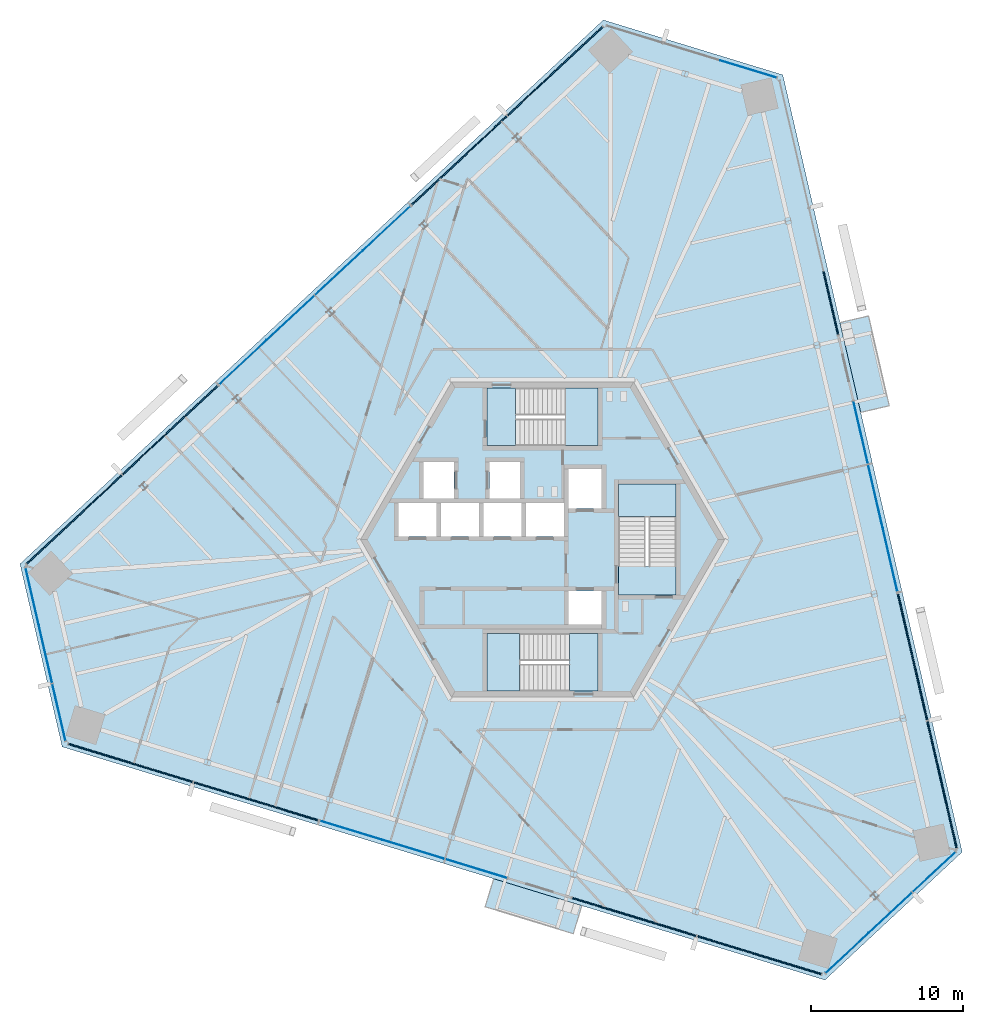
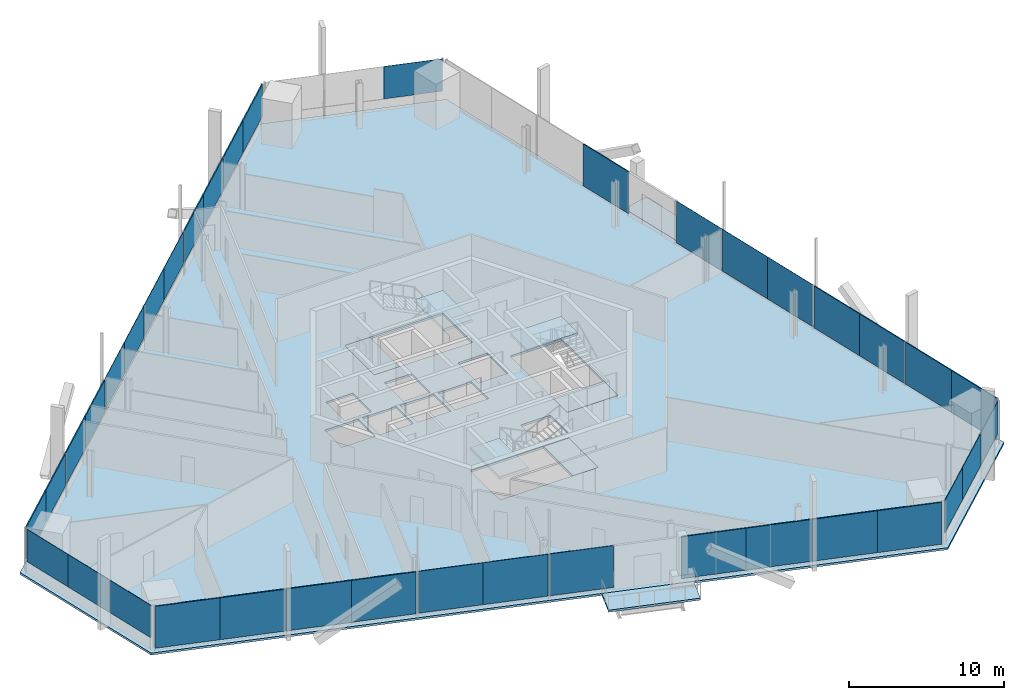
# One storey, part 11 of 23: 38 plates, 9 slabs, 15 elements without a shape of their own.
"""IFC4 building model written with IfcOpenShell, lengths in metres."""

from ifc_helpers import new_model, si_unit, direction, frame, origin, origin_2d, place, context, subcontext, project, spatial, polyline, rectangle, outline, extrude, source, transform, mapped, material, layer, layer_set, type_object, element, aggregate, save


model = new_model("IFC4")

# Units and contexts
model_context = context("Model", 3, precision=1e-05, world=origin(), true_north=direction((0.0, 1.0)))
body_context = subcontext(model_context, "Body", "Model", "MODEL_VIEW")
ifc_project = project(units=[si_unit("LENGTHUNIT", "METRE"), si_unit("AREAUNIT", "SQUARE_METRE"), si_unit("VOLUMEUNIT", "CUBIC_METRE"), si_unit("PLANEANGLEUNIT", "RADIAN"), si_unit("MASSUNIT", "GRAM", prefix="KILO")], contexts=[model_context])

# Site, building, storey
site_placement = place(None, origin())
site = spatial("IfcSite", under=ifc_project, at=site_placement, CompositionType="ELEMENT")
building_placement = place(site_placement, origin())
building = spatial("IfcBuilding", under=site, at=building_placement, Name="Triune Harvest Tower", CompositionType="ELEMENT")
storey_placement = place(building_placement, frame((0.0, 0.0, 105.5)))
storey = spatial("IfcBuildingStorey", under=building, at=storey_placement, Name="L26", CompositionType="ELEMENT", Elevation=105.5)

# Slabs
ifc_material_1 = material(Name="Concrete 40 MPa", Category="concrete")
ifc_layer_1 = layer(ifc_material_1, 0.159912109375)
ifc_layer_set_1 = layer_set([ifc_layer_1], Name="Concrete 40 MPa")
slab_type_1 = type_object("IfcSlabType", Name="BA-1 balcony slab 160", PredefinedType="FLOOR", material=ifc_layer_set_1)
slab_1_placement = place(storey_placement, frame((0.0, 0.0, -0.159912109375)))
element("IfcSlab", 1, at=slab_1_placement, inside=storey, type_object=slab_type_1, Name="Balcony slab B3-F1 L26.8", PredefinedType="FLOOR", context=body_context, shape_type="SweptSolid", body=[
    extrude(outline(polyline([(20.974365234375, 8.390380859375), (19.6083984375, 14.3076171875), (21.489990234375, 14.7421875), (22.856201171875, 8.824951171875), (20.974365234375, 8.390380859375)])), origin(), (0.0, 0.0, 1.0), 0.159912109375),
])
slab_2_placement = place(storey_placement, frame((0.0, 0.0, -0.159912109375)))
element("IfcSlab", 2, at=slab_2_placement, inside=storey, type_object=slab_type_1, Name="Balcony slab B3-F5 L26.8", PredefinedType="FLOOR", context=body_context, shape_type="SweptSolid", body=[
    extrude(outline(polyline([(-3.220947265625, -22.359619140625), (2.586669921875, -24.135009765625), (2.02197265625, -25.98193359375), (-3.785400390625, -24.206298828125), (-3.220947265625, -22.359619140625)])), origin(), (0.0, 0.0, 1.0), 0.159912109375),
])
ifc_material_2 = material(Name="Concrete 40 MPa", Category="concrete")
ifc_layer_2 = layer(ifc_material_2, 0.159912109375)
ifc_layer_set_2 = layer_set([ifc_layer_2], Name="Concrete 40 MPa")
slab_type_2 = type_object("IfcSlabType", Name="SL-1 Composite floor slab 160", PredefinedType="FLOOR", material=ifc_layer_set_2)
shared_shape_1 = source(origin(), body_context, "Body", "SweptSolid", [
    extrude(outline(polyline([(27.666748046875, -20.59765625), (15.83740234375, 30.641357421875), (4.004638671875, 34.2587890625), (-34.454833984375, -1.60498046875), (-31.67138671875, -13.661376953125), (18.617431640625, -29.0361328125), (27.666748046875, -20.59765625)]), holes=[polyline([(-7.0, 0.2099609375), (-7.0, 2.409912109375), (-9.5, 2.409912109375), (-9.5, 0.2099609375), (-7.0, 0.2099609375)]), polyline([(-4.199951171875, 0.2099609375), (-4.199951171875, 2.409912109375), (-6.699951171875, 2.409912109375), (-6.699951171875, 0.2099609375), (-4.199951171875, 0.2099609375)]), polyline([(-1.39990234375, 0.2099609375), (-1.39990234375, 2.409912109375), (-3.89990234375, 2.409912109375), (-3.89990234375, 0.2099609375), (-1.39990234375, 0.2099609375)]), polyline([(1.39990234375, 0.2099609375), (1.39990234375, 2.409912109375), (-1.10009765625, 2.409912109375), (-1.10009765625, 0.2099609375), (1.39990234375, 0.2099609375)]), polyline([(3.89990234375, 2.06005859375), (3.89990234375, 4.659912109375), (1.699951171875, 4.659912109375), (1.699951171875, 2.06005859375), (3.89990234375, 2.06005859375)]), polyline([(3.89990234375, -5.590087890625), (3.89990234375, -3.389892578125), (1.699951171875, -3.389892578125), (1.699951171875, -5.590087890625), (3.89990234375, -5.590087890625)]), polyline([(-5.85009765625, 2.7099609375), (-5.85009765625, 5.110107421875), (-7.85009765625, 5.110107421875), (-7.85009765625, 2.7099609375), (-5.85009765625, 2.7099609375)]), polyline([(-1.5, 2.7099609375), (-1.5, 5.110107421875), (-3.5, 5.110107421875), (-3.5, 2.7099609375), (-1.5, 2.7099609375)]), polyline([(3.64990234375, 6.18994140625), (3.64990234375, 9.989990234375), (-3.64990234375, 9.989990234375), (-3.64990234375, 6.18994140625), (3.64990234375, 6.18994140625)]), polyline([(3.64990234375, -9.989990234375), (3.64990234375, -6.18994140625), (-3.64990234375, -6.18994140625), (-3.64990234375, -9.989990234375), (3.64990234375, -9.989990234375)]), polyline([(8.800048828125, -3.64990234375), (8.800048828125, 3.64990234375), (5.0, 3.64990234375), (5.0, -3.64990234375), (8.800048828125, -3.64990234375)])]), origin(), (0.0, 0.0, 1.0), 0.159912109375),
])
slab_3_placement = place(storey_placement, frame((0.0, 0.0, -0.159912109375)))
element("IfcSlab", 3, at=slab_3_placement, inside=storey, type_object=slab_type_2, Name="slab/L26/1", PredefinedType="FLOOR", context=body_context, shape_type="MappedRepresentation", body=[
    mapped(shared_shape_1, transform((0.0, 0.0, 0.0), scale=1.0)),
])

# Stair, slabs
ifc_material_3 = material(Name="Concrete 40 MPa", Category="concrete")
stair_type = type_object("IfcStairType", Name="Exit stair 1800 half turn", PredefinedType="HALF_TURN_STAIR", material=ifc_material_3)
stair_1_placement = place(storey_placement, origin())
stair_1 = element("IfcStair", 4, at=stair_1_placement, inside=storey, type_object=stair_type, Name="Exit stair north", PredefinedType="HALF_TURN_STAIR")
ifc_material_4 = material(Name="Concrete 40 MPa", Category="concrete")
ifc_layer_3 = layer(ifc_material_4, 0.199951171875)
ifc_layer_set_3 = layer_set([ifc_layer_3], Name="Concrete 40 MPa")
slab_type_3 = type_object("IfcSlabType", Name="Stair landing 200", PredefinedType="LANDING", material=ifc_layer_set_3)
shared_shape_2 = source(origin(), body_context, "Body", "SweptSolid", [
    extrude(outline(polyline([(1.510009765625, 6.18994140625), (3.64990234375, 6.18994140625), (3.64990234375, 9.989990234375), (1.510009765625, 9.989990234375), (1.510009765625, 6.18994140625)])), origin(), (0.0, 0.0, 1.0), 0.199951171875),
])
slab_4_placement = place(storey_placement, frame((0.0, 0.0, 1.60009765625)))
slab_4 = element("IfcSlab", 5, at=slab_4_placement, type_object=slab_type_3, Name="ST-1 landing 2", PredefinedType="LANDING", context=body_context, shape_type="MappedRepresentation", body=[
    mapped(shared_shape_2, transform((0.0, 0.0, 0.0), scale=1.0)),
])
shared_shape_3 = source(origin(), body_context, "Body", "SweptSolid", [
    extrude(outline(polyline([(-3.64990234375, 6.18994140625), (-1.780029296875, 6.18994140625), (-1.780029296875, 9.989990234375), (-3.64990234375, 9.989990234375), (-3.64990234375, 6.18994140625)])), origin(), (0.0, 0.0, 1.0), 0.199951171875),
])
slab_5_placement = place(storey_placement, frame((0.0, 0.0, -0.199951171875)))
slab_5 = element("IfcSlab", 6, at=slab_5_placement, type_object=slab_type_3, Name="ST-1 landing 1", PredefinedType="LANDING", context=body_context, shape_type="MappedRepresentation", body=[
    mapped(shared_shape_3, transform((0.0, 0.0, 0.0), scale=1.0)),
])
aggregate(stair_1, [slab_5, slab_4])

stair_2_placement = place(storey_placement, origin())
stair_2 = element("IfcStair", 7, at=stair_2_placement, inside=storey, type_object=stair_type, Name="Exit stair south", PredefinedType="HALF_TURN_STAIR")
shared_shape_4 = source(origin(), body_context, "Body", "SweptSolid", [
    extrude(outline(polyline([(-1.510009765625, -6.18994140625), (-3.64990234375, -6.18994140625), (-3.64990234375, -9.989990234375), (-1.510009765625, -9.989990234375), (-1.510009765625, -6.18994140625)])), origin(), (0.0, 0.0, 1.0), 0.199951171875),
])
slab_6_placement = place(storey_placement, frame((0.0, 0.0, 1.60009765625)))
slab_6 = element("IfcSlab", 8, at=slab_6_placement, type_object=slab_type_3, Name="ST-2 landing 2", PredefinedType="LANDING", context=body_context, shape_type="MappedRepresentation", body=[
    mapped(shared_shape_4, transform((0.0, 0.0, 0.0), scale=1.0)),
])
shared_shape_5 = source(origin(), body_context, "Body", "SweptSolid", [
    extrude(outline(polyline([(3.64990234375, -6.18994140625), (1.780029296875, -6.18994140625), (1.780029296875, -9.989990234375), (3.64990234375, -9.989990234375), (3.64990234375, -6.18994140625)])), origin(), (0.0, 0.0, 1.0), 0.199951171875),
])
slab_7_placement = place(storey_placement, frame((0.0, 0.0, -0.199951171875)))
slab_7 = element("IfcSlab", 9, at=slab_7_placement, type_object=slab_type_3, Name="ST-2 landing 1", PredefinedType="LANDING", context=body_context, shape_type="MappedRepresentation", body=[
    mapped(shared_shape_5, transform((0.0, 0.0, 0.0), scale=1.0)),
])
aggregate(stair_2, [slab_7, slab_6])

stair_3_placement = place(storey_placement, origin())
stair_3 = element("IfcStair", 10, at=stair_3_placement, inside=storey, type_object=stair_type, Name="Exit stair east", PredefinedType="HALF_TURN_STAIR")
shared_shape_6 = source(origin(), body_context, "Body", "SweptSolid", [
    extrude(outline(polyline([(8.800048828125, 1.510009765625), (8.800048828125, 3.64990234375), (5.0, 3.64990234375), (5.0, 1.510009765625), (8.800048828125, 1.510009765625)])), origin(), (0.0, 0.0, 1.0), 0.199951171875),
])
slab_8_placement = place(storey_placement, frame((0.0, 0.0, 1.60009765625)))
slab_8 = element("IfcSlab", 11, at=slab_8_placement, type_object=slab_type_3, Name="ST-3 landing 2", PredefinedType="LANDING", context=body_context, shape_type="MappedRepresentation", body=[
    mapped(shared_shape_6, transform((0.0, 0.0, 0.0), scale=1.0)),
])
shared_shape_7 = source(origin(), body_context, "Body", "SweptSolid", [
    extrude(outline(polyline([(8.800048828125, -3.64990234375), (8.800048828125, -1.780029296875), (5.0, -1.780029296875), (5.0, -3.64990234375), (8.800048828125, -3.64990234375)])), origin(), (0.0, 0.0, 1.0), 0.199951171875),
])
slab_9_placement = place(storey_placement, frame((0.0, 0.0, -0.199951171875)))
slab_9 = element("IfcSlab", 12, at=slab_9_placement, type_object=slab_type_3, Name="ST-3 landing 1", PredefinedType="LANDING", context=body_context, shape_type="MappedRepresentation", body=[
    mapped(shared_shape_7, transform((0.0, 0.0, 0.0), scale=1.0)),
])
aggregate(stair_3, [slab_9, slab_8])

# Curtain wall, plate
ifc_material_5 = material(Name="Aluminium bronze anodised", Category="aluminium")
curtain_wall_type_1 = type_object("IfcCurtainWallType", Name="CW-1 Tower stick curtain wall", PredefinedType="NOTDEFINED", material=ifc_material_5)
curtain_wall_1_placement = place(storey_placement, origin())
curtain_wall_1 = element("IfcCurtainWall", 13, at=curtain_wall_1_placement, inside=storey, type_object=curtain_wall_type_1, Name="CW-1 B3-F2 L26 run 1")
ifc_material_6 = material(Name="Glass", Category="glass")
ifc_layer_4 = layer(ifc_material_6, 0.031982421875)
ifc_layer_set_4 = layer_set([ifc_layer_4], Name="Glass")
plate_type_1 = type_object("IfcPlateType", Name="GL-1 panel 32", PredefinedType="CURTAIN_PANEL", material=ifc_layer_set_4)
shared_shape_8 = source(origin(), body_context, "Body", "SweptSolid", [
    extrude(rectangle(XDim=3.8740234375, YDim=0.031982421875, at=origin_2d()), origin(), (0.0, 0.0, 1.0), 2.5400390625),
])
plate_1_placement = place(storey_placement, frame((13.573974609375, 31.01953125, 0.89990234375), z_axis=(0.0, 0.0, 1.0), x_axis=(-0.956303148607, 0.292376962095, 0.0)))
plate_1 = element("IfcPlate", 14, at=plate_1_placement, type_object=plate_type_1, Name="CW-1 panel B3-F2 1.1", PredefinedType="CURTAIN_PANEL", context=body_context, shape_type="MappedRepresentation", body=[
    mapped(shared_shape_8, transform((0.0, 0.0, 0.0), scale=1.0)),
])
aggregate(curtain_wall_1, [plate_1])

curtain_wall_2_placement = place(storey_placement, origin())
curtain_wall_2 = element("IfcCurtainWall", 15, at=curtain_wall_2_placement, inside=storey, type_object=curtain_wall_type_1, Name="CW-1 B3-F4 L26 run 1")
plate_2_placement = place(storey_placement, frame((-33.650634765625, -3.75439453125, 0.89990234375), z_axis=(0.0, 0.0, 1.0), x_axis=(0.224946950683, -0.974371012181, 0.0)))
plate_2 = element("IfcPlate", 16, at=plate_2_placement, type_object=plate_type_1, Name="CW-1 panel B3-F4 1.1", PredefinedType="CURTAIN_PANEL", context=body_context, shape_type="MappedRepresentation", body=[
    mapped(shared_shape_8, transform((0.0, 0.0, 0.0), scale=1.0)),
])

curtain_wall_3_placement = place(storey_placement, origin())
curtain_wall_3 = element("IfcCurtainWall", 17, at=curtain_wall_3_placement, inside=storey, type_object=curtain_wall_type_1, Name="CW-1 B3-F6 L26 run 1")
plate_3_placement = place(storey_placement, frame((20.076904296875, -27.26513671875, 0.89990234375), z_axis=(0.0, 0.0, 1.0), x_axis=(0.731349946151, 0.682002387287, 0.0)))
plate_3 = element("IfcPlate", 18, at=plate_3_placement, type_object=plate_type_1, Name="CW-1 panel B3-F6 1.1", PredefinedType="CURTAIN_PANEL", context=body_context, shape_type="MappedRepresentation", body=[
    mapped(shared_shape_8, transform((0.0, 0.0, 0.0), scale=1.0)),
])

# Plate
shared_shape_9 = source(origin(), body_context, "Body", "SweptSolid", [
    extrude(rectangle(XDim=3.911376953125, YDim=0.031982421875, at=origin_2d()), origin(), (0.0, 0.0, 1.0), 2.5400390625),
])
plate_4_placement = place(storey_placement, frame((-32.77490234375, -7.54736328125, 0.89990234375), z_axis=(0.0, 0.0, 1.0), x_axis=(0.224946950683, -0.974371012181, 0.0)))
plate_4 = element("IfcPlate", 19, at=plate_4_placement, type_object=plate_type_1, Name="CW-1 panel B3-F4 1.2", PredefinedType="CURTAIN_PANEL", context=body_context, shape_type="MappedRepresentation", body=[
    mapped(shared_shape_9, transform((0.0, 0.0, 0.0), scale=1.0)),
])

plate_5_placement = place(storey_placement, frame((22.923828125, -24.6103515625, 0.89990234375), z_axis=(0.0, 0.0, 1.0), x_axis=(0.731349946151, 0.682002387287, 0.0)))
plate_5 = element("IfcPlate", 20, at=plate_5_placement, type_object=plate_type_1, Name="CW-1 panel B3-F6 1.2", PredefinedType="CURTAIN_PANEL", context=body_context, shape_type="MappedRepresentation", body=[
    mapped(shared_shape_9, transform((0.0, 0.0, 0.0), scale=1.0)),
])

shared_shape_10 = source(origin(), body_context, "Body", "SweptSolid", [
    extrude(rectangle(XDim=3.83642578125, YDim=0.031982421875, at=origin_2d()), origin(), (0.0, 0.0, 1.0), 2.5400390625),
])
plate_6_placement = place(storey_placement, frame((-31.88671875, -11.395263671875, 0.89990234375), z_axis=(0.0, 0.0, 1.0), x_axis=(0.224946950683, -0.974371012181, 0.0)))
plate_6 = element("IfcPlate", 21, at=plate_6_placement, type_object=plate_type_1, Name="CW-1 panel B3-F4 1.3", PredefinedType="CURTAIN_PANEL", context=body_context, shape_type="MappedRepresentation", body=[
    mapped(shared_shape_10, transform((0.0, 0.0, 0.0), scale=1.0)),
])

aggregate(curtain_wall_2, [plate_2, plate_4, plate_6])

plate_7_placement = place(storey_placement, frame((25.81201171875, -21.9169921875, 0.89990234375), z_axis=(0.0, 0.0, 1.0), x_axis=(0.731349946151, 0.682002387287, 0.0)))
plate_7 = element("IfcPlate", 22, at=plate_7_placement, type_object=plate_type_1, Name="CW-1 panel B3-F6 1.3", PredefinedType="CURTAIN_PANEL", context=body_context, shape_type="MappedRepresentation", body=[
    mapped(shared_shape_10, transform((0.0, 0.0, 0.0), scale=1.0)),
])

aggregate(curtain_wall_3, [plate_3, plate_5, plate_7])

# Curtain wall, plates
ifc_material_7 = material(Name="Aluminium bronze anodised", Category="aluminium")
curtain_wall_type_2 = type_object("IfcCurtainWallType", Name="CW-7 Tower stick curtain wall with insulated spandrel infill", PredefinedType="NOTDEFINED", material=ifc_material_7)
curtain_wall_4_placement = place(storey_placement, origin())
curtain_wall_4 = element("IfcCurtainWall", 23, at=curtain_wall_4_placement, inside=storey, type_object=curtain_wall_type_2, Name="CW-7 B3-F3 L26 run 1")
ifc_material_8 = material(Name="Insulated spandrel panel, bronze aluminium pan", Category="aluminium")
ifc_layer_5 = layer(ifc_material_8, 0.080078125)
ifc_layer_set_5 = layer_set([ifc_layer_5], Name="Insulated spandrel panel, bronze aluminium pan")
plate_type_2 = type_object("IfcPlateType", Name="SP-1 insulated spandrel panel 80", PredefinedType="CURTAIN_PANEL", material=ifc_layer_set_5)
shared_shape_11 = source(origin(), body_context, "Body", "SweptSolid", [
    extrude(rectangle(XDim=4.263427734375, YDim=0.080078125, at=origin_2d()), origin(), (0.0, 0.0, 1.0), 2.5400390625),
])
plate_8_placement = place(storey_placement, frame((2.40283203125, 32.35498046875, 0.89990234375), z_axis=(0.0, 0.0, 1.0), x_axis=(-0.731352976421, -0.681999137741, 0.0)))
plate_8 = element("IfcPlate", 24, at=plate_8_placement, type_object=plate_type_2, Name="CW-7 panel B3-F3 1.1", PredefinedType="CURTAIN_PANEL", context=body_context, shape_type="MappedRepresentation", body=[
    mapped(shared_shape_11, transform((0.0, 0.0, 0.0), scale=1.0)),
])
plate_9_placement = place(storey_placement, frame((-7.060791015625, 23.530029296875, 0.89990234375), z_axis=(0.0, 0.0, 1.0), x_axis=(-0.731352976421, -0.681999137741, 0.0)))
plate_9 = element("IfcPlate", 25, at=plate_9_placement, type_object=plate_type_2, Name="CW-7 panel B3-F3 1.4", PredefinedType="CURTAIN_PANEL", context=body_context, shape_type="MappedRepresentation", body=[
    mapped(shared_shape_11, transform((0.0, 0.0, 0.0), scale=1.0)),
])

curtain_wall_5_placement = place(storey_placement, origin())
curtain_wall_5 = element("IfcCurtainWall", 26, at=curtain_wall_5_placement, inside=storey, type_object=curtain_wall_type_2, Name="CW-7 B3-F3 L26 run 2001")
plate_10_placement = place(storey_placement, frame((-22.97998046875, 8.68505859375, 0.89990234375), z_axis=(0.0, 0.0, 1.0), x_axis=(-0.731352976421, -0.681999137741, 0.0)))
plate_10 = element("IfcPlate", 27, at=plate_10_placement, type_object=plate_type_2, Name="CW-7 panel B3-F3 2001.1", PredefinedType="CURTAIN_PANEL", context=body_context, shape_type="MappedRepresentation", body=[
    mapped(shared_shape_11, transform((0.0, 0.0, 0.0), scale=1.0)),
])
plate_11_placement = place(storey_placement, frame((-32.44384765625, -0.14013671875, 0.89990234375), z_axis=(0.0, 0.0, 1.0), x_axis=(-0.731352976421, -0.681999137741, 0.0)))
plate_11 = element("IfcPlate", 28, at=plate_11_placement, type_object=plate_type_2, Name="CW-7 panel B3-F3 2001.4", PredefinedType="CURTAIN_PANEL", context=body_context, shape_type="MappedRepresentation", body=[
    mapped(shared_shape_11, transform((0.0, 0.0, 0.0), scale=1.0)),
])

# Plate
shared_shape_12 = source(origin(), body_context, "Body", "SweptSolid", [
    extrude(rectangle(XDim=4.30078125, YDim=0.080078125, at=origin_2d()), origin(), (0.0, 0.0, 1.0), 2.5400390625),
])
plate_12_placement = place(storey_placement, frame((-0.728759765625, 29.4345703125, 0.89990234375), z_axis=(0.0, 0.0, 1.0), x_axis=(-0.731352976421, -0.681999137741, 0.0)))
plate_12 = element("IfcPlate", 29, at=plate_12_placement, type_object=plate_type_2, Name="CW-7 panel B3-F3 1.2", PredefinedType="CURTAIN_PANEL", context=body_context, shape_type="MappedRepresentation", body=[
    mapped(shared_shape_12, transform((0.0, 0.0, 0.0), scale=1.0)),
])

plate_13_placement = place(storey_placement, frame((-3.92919921875, 26.450439453125, 0.89990234375), z_axis=(0.0, 0.0, 1.0), x_axis=(-0.731352976421, -0.681999137741, 0.0)))
plate_13 = element("IfcPlate", 30, at=plate_13_placement, type_object=plate_type_2, Name="CW-7 panel B3-F3 1.3", PredefinedType="CURTAIN_PANEL", context=body_context, shape_type="MappedRepresentation", body=[
    mapped(shared_shape_12, transform((0.0, 0.0, 0.0), scale=1.0)),
])

aggregate(curtain_wall_4, [plate_8, plate_12, plate_13, plate_9])

plate_14_placement = place(storey_placement, frame((-26.11181640625, 5.7646484375, 0.89990234375), z_axis=(0.0, 0.0, 1.0), x_axis=(-0.731352976421, -0.681999137741, 0.0)))
plate_14 = element("IfcPlate", 31, at=plate_14_placement, type_object=plate_type_2, Name="CW-7 panel B3-F3 2001.2", PredefinedType="CURTAIN_PANEL", context=body_context, shape_type="MappedRepresentation", body=[
    mapped(shared_shape_12, transform((0.0, 0.0, 0.0), scale=1.0)),
])

plate_15_placement = place(storey_placement, frame((-29.31201171875, 2.7802734375, 0.89990234375), z_axis=(0.0, 0.0, 1.0), x_axis=(-0.731352976421, -0.681999137741, 0.0)))
plate_15 = element("IfcPlate", 32, at=plate_15_placement, type_object=plate_type_2, Name="CW-7 panel B3-F3 2001.3", PredefinedType="CURTAIN_PANEL", context=body_context, shape_type="MappedRepresentation", body=[
    mapped(shared_shape_12, transform((0.0, 0.0, 0.0), scale=1.0)),
])

aggregate(curtain_wall_5, [plate_10, plate_14, plate_15, plate_11])

# Curtain wall, plates
curtain_wall_6_placement = place(storey_placement, origin())
curtain_wall_6 = element("IfcCurtainWall", 33, at=curtain_wall_6_placement, inside=storey, type_object=curtain_wall_type_1, Name="CW-1 B3-F3 L26 run 1001")
shared_shape_13 = source(origin(), body_context, "Body", "SweptSolid", [
    extrude(rectangle(XDim=4.263427734375, YDim=0.031982421875, at=origin_2d()), origin(), (0.0, 0.0, 1.0), 2.5400390625),
])
plate_16_placement = place(storey_placement, frame((-10.28857421875, 20.52001953125, 0.89990234375), z_axis=(0.0, 0.0, 1.0), x_axis=(-0.731354138963, -0.681997891068, 0.0)))
plate_16 = element("IfcPlate", 34, at=plate_16_placement, type_object=plate_type_1, Name="CW-1 panel B3-F3 1001.1", PredefinedType="CURTAIN_PANEL", context=body_context, shape_type="MappedRepresentation", body=[
    mapped(shared_shape_13, transform((0.0, 0.0, 0.0), scale=1.0)),
])
plate_17_placement = place(storey_placement, frame((-19.75244140625, 11.695068359375, 0.89990234375), z_axis=(0.0, 0.0, 1.0), x_axis=(-0.731354138963, -0.681997891068, 0.0)))
plate_17 = element("IfcPlate", 35, at=plate_17_placement, type_object=plate_type_1, Name="CW-1 panel B3-F3 1001.4", PredefinedType="CURTAIN_PANEL", context=body_context, shape_type="MappedRepresentation", body=[
    mapped(shared_shape_13, transform((0.0, 0.0, 0.0), scale=1.0)),
])
shared_shape_14 = source(origin(), body_context, "Body", "SweptSolid", [
    extrude(rectangle(XDim=4.30078125, YDim=0.031982421875, at=origin_2d()), origin(), (0.0, 0.0, 1.0), 2.5400390625),
])
plate_18_placement = place(storey_placement, frame((-13.42041015625, 17.599609375, 0.89990234375), z_axis=(0.0, 0.0, 1.0), x_axis=(-0.731354138963, -0.681997891068, 0.0)))
plate_18 = element("IfcPlate", 36, at=plate_18_placement, type_object=plate_type_1, Name="CW-1 panel B3-F3 1001.2", PredefinedType="CURTAIN_PANEL", context=body_context, shape_type="MappedRepresentation", body=[
    mapped(shared_shape_14, transform((0.0, 0.0, 0.0), scale=1.0)),
])
plate_19_placement = place(storey_placement, frame((-16.62060546875, 14.615234375, 0.89990234375), z_axis=(0.0, 0.0, 1.0), x_axis=(-0.731354138963, -0.681997891068, 0.0)))
plate_19 = element("IfcPlate", 37, at=plate_19_placement, type_object=plate_type_1, Name="CW-1 panel B3-F3 1001.3", PredefinedType="CURTAIN_PANEL", context=body_context, shape_type="MappedRepresentation", body=[
    mapped(shared_shape_14, transform((0.0, 0.0, 0.0), scale=1.0)),
])
aggregate(curtain_wall_6, [plate_16, plate_18, plate_19, plate_17])

ifc_material_9 = material(Name="Aluminium bronze anodised", Category="aluminium")
curtain_wall_type_3 = type_object("IfcCurtainWallType", Name="CW-10 Balcony window wall with insulated spandrel infill", PredefinedType="NOTDEFINED", material=ifc_material_9)
curtain_wall_7_placement = place(storey_placement, origin())
curtain_wall_7 = element("IfcCurtainWall", 38, at=curtain_wall_7_placement, inside=storey, type_object=curtain_wall_type_3, Name="CW-10 B3-F1 L26 run 1")
shared_shape_15 = source(origin(), body_context, "Body", "SweptSolid", [
    extrude(rectangle(XDim=4.265380859375, YDim=0.080078125, at=origin_2d()), origin(), (0.0, 0.0, 1.0), 3.2900390625),
])
plate_20_placement = place(storey_placement, frame((26.818603515625, -18.25732421875, 0.14990234375), z_axis=(0.0, 0.0, 1.0), x_axis=(-0.224948629446, 0.974370624614, 0.0)))
plate_20 = element("IfcPlate", 39, at=plate_20_placement, type_object=plate_type_2, Name="CW-10 panel B3-F1 1.1", PredefinedType="CURTAIN_PANEL", context=body_context, shape_type="MappedRepresentation", body=[
    mapped(shared_shape_15, transform((0.0, 0.0, 0.0), scale=1.0)),
])
plate_21_placement = place(storey_placement, frame((23.90625, -5.642822265625, 0.14990234375), z_axis=(0.0, 0.0, 1.0), x_axis=(-0.224948629446, 0.974370624614, 0.0)))
plate_21 = element("IfcPlate", 40, at=plate_21_placement, type_object=plate_type_2, Name="CW-10 panel B3-F1 1.4", PredefinedType="CURTAIN_PANEL", context=body_context, shape_type="MappedRepresentation", body=[
    mapped(shared_shape_15, transform((0.0, 0.0, 0.0), scale=1.0)),
])
shared_shape_16 = source(origin(), body_context, "Body", "SweptSolid", [
    extrude(rectangle(XDim=4.302978515625, YDim=0.080078125, at=origin_2d()), origin(), (0.0, 0.0, 1.0), 3.2900390625),
])
plate_22_placement = place(storey_placement, frame((25.85498046875, -14.0830078125, 0.14990234375), z_axis=(0.0, 0.0, 1.0), x_axis=(-0.224948629446, 0.974370624614, 0.0)))
plate_22 = element("IfcPlate", 41, at=plate_22_placement, type_object=plate_type_2, Name="CW-10 panel B3-F1 1.2", PredefinedType="CURTAIN_PANEL", context=body_context, shape_type="MappedRepresentation", body=[
    mapped(shared_shape_16, transform((0.0, 0.0, 0.0), scale=1.0)),
])
plate_23_placement = place(storey_placement, frame((24.8701171875, -9.817138671875, 0.14990234375), z_axis=(0.0, 0.0, 1.0), x_axis=(-0.224948629446, 0.974370624614, 0.0)))
plate_23 = element("IfcPlate", 42, at=plate_23_placement, type_object=plate_type_2, Name="CW-10 panel B3-F1 1.3", PredefinedType="CURTAIN_PANEL", context=body_context, shape_type="MappedRepresentation", body=[
    mapped(shared_shape_16, transform((0.0, 0.0, 0.0), scale=1.0)),
])
aggregate(curtain_wall_7, [plate_20, plate_22, plate_23, plate_21])

curtain_wall_8_placement = place(storey_placement, origin())
curtain_wall_8 = element("IfcCurtainWall", 43, at=curtain_wall_8_placement, inside=storey, type_object=curtain_wall_type_3, Name="CW-10 B3-F5 L26 run 1")
plate_24_placement = place(storey_placement, frame((-25.123779296875, -15.349365234375, 0.14990234375), z_axis=(0.0, 0.0, 1.0), x_axis=(0.956304633214, -0.292372106217, 0.0)))
plate_24 = element("IfcPlate", 44, at=plate_24_placement, type_object=plate_type_2, Name="CW-10 panel B3-F5 1.2", PredefinedType="CURTAIN_PANEL", context=body_context, shape_type="MappedRepresentation", body=[
    mapped(shared_shape_16, transform((0.0, 0.0, 0.0), scale=1.0)),
])
plate_25_placement = place(storey_placement, frame((-20.93701171875, -16.62939453125, 0.14990234375), z_axis=(0.0, 0.0, 1.0), x_axis=(0.956304633214, -0.292372106217, 0.0)))
plate_25 = element("IfcPlate", 45, at=plate_25_placement, type_object=plate_type_2, Name="CW-10 panel B3-F5 1.3", PredefinedType="CURTAIN_PANEL", context=body_context, shape_type="MappedRepresentation", body=[
    mapped(shared_shape_16, transform((0.0, 0.0, 0.0), scale=1.0)),
])

# Curtain wall, plate
ifc_material_10 = material(Name="Aluminium bronze anodised", Category="aluminium")
curtain_wall_type_4 = type_object("IfcCurtainWallType", Name="CW-6 Balcony window wall", PredefinedType="NOTDEFINED", material=ifc_material_10)
curtain_wall_9_placement = place(storey_placement, origin())
curtain_wall_9 = element("IfcCurtainWall", 46, at=curtain_wall_9_placement, inside=storey, type_object=curtain_wall_type_4, Name="CW-6 B3-F1 L26 run 1001")
ifc_material_11 = material(Name="Glass", Category="glass")
ifc_layer_6 = layer(ifc_material_11, 0.030029296875)
ifc_layer_set_6 = layer_set([ifc_layer_6], Name="Glass")
plate_type_3 = type_object("IfcPlateType", Name="GL-6 panel 30", PredefinedType="CURTAIN_PANEL", material=ifc_layer_set_6)
shared_shape_17 = source(origin(), body_context, "Body", "SweptSolid", [
    extrude(rectangle(XDim=4.265380859375, YDim=0.030029296875, at=origin_2d()), origin(), (0.0, 0.0, 1.0), 3.2900390625),
])
plate_26_placement = place(storey_placement, frame((22.9130859375, -1.34033203125, 0.14990234375), z_axis=(0.0, 0.0, 1.0), x_axis=(-0.224954666784, 0.974369230781, 0.0)))
plate_26 = element("IfcPlate", 47, at=plate_26_placement, type_object=plate_type_3, Name="CW-6 panel B3-F1 1001.1", PredefinedType="CURTAIN_PANEL", context=body_context, shape_type="MappedRepresentation", body=[
    mapped(shared_shape_17, transform((0.0, 0.0, 0.0), scale=1.0)),
])

curtain_wall_10_placement = place(storey_placement, origin())
curtain_wall_10 = element("IfcCurtainWall", 48, at=curtain_wall_10_placement, inside=storey, type_object=curtain_wall_type_4, Name="CW-6 B3-F5 L26 run 1001")
plate_27_placement = place(storey_placement, frame((-12.617431640625, -19.173095703125, 0.14990234375), z_axis=(0.0, 0.0, 1.0), x_axis=(0.956303691589, -0.29237518611, 0.0)))
plate_27 = element("IfcPlate", 49, at=plate_27_placement, type_object=plate_type_3, Name="CW-6 panel B3-F5 1001.1", PredefinedType="CURTAIN_PANEL", context=body_context, shape_type="MappedRepresentation", body=[
    mapped(shared_shape_17, transform((0.0, 0.0, 0.0), scale=1.0)),
])

# Plate
shared_shape_18 = source(origin(), body_context, "Body", "SweptSolid", [
    extrude(rectangle(XDim=4.302978515625, YDim=0.030029296875, at=origin_2d()), origin(), (0.0, 0.0, 1.0), 3.2900390625),
])
plate_28_placement = place(storey_placement, frame((21.94921875, 2.833984375, 0.14990234375), z_axis=(0.0, 0.0, 1.0), x_axis=(-0.224954666784, 0.974369230781, 0.0)))
plate_28 = element("IfcPlate", 50, at=plate_28_placement, type_object=plate_type_3, Name="CW-6 panel B3-F1 1001.2", PredefinedType="CURTAIN_PANEL", context=body_context, shape_type="MappedRepresentation", body=[
    mapped(shared_shape_18, transform((0.0, 0.0, 0.0), scale=1.0)),
])

plate_29_placement = place(storey_placement, frame((-8.520263671875, -20.425537109375, 0.14990234375), z_axis=(0.0, 0.0, 1.0), x_axis=(0.956303691589, -0.29237518611, 0.0)))
plate_29 = element("IfcPlate", 51, at=plate_29_placement, type_object=plate_type_3, Name="CW-6 panel B3-F5 1001.2", PredefinedType="CURTAIN_PANEL", context=body_context, shape_type="MappedRepresentation", body=[
    mapped(shared_shape_18, transform((0.0, 0.0, 0.0), scale=1.0)),
])

shared_shape_19 = source(origin(), body_context, "Body", "SweptSolid", [
    extrude(rectangle(XDim=4.22802734375, YDim=0.030029296875, at=origin_2d()), origin(), (0.0, 0.0, 1.0), 3.2900390625),
])
plate_30_placement = place(storey_placement, frame((20.972900390625, 7.063232421875, 0.14990234375), z_axis=(0.0, 0.0, 1.0), x_axis=(-0.224954666784, 0.974369230781, 0.0)))
plate_30 = element("IfcPlate", 52, at=plate_30_placement, type_object=plate_type_3, Name="CW-6 panel B3-F1 1001.3", PredefinedType="CURTAIN_PANEL", context=body_context, shape_type="MappedRepresentation", body=[
    mapped(shared_shape_19, transform((0.0, 0.0, 0.0), scale=1.0)),
])

aggregate(curtain_wall_9, [plate_26, plate_28, plate_30])

plate_31_placement = place(storey_placement, frame((-4.369384765625, -21.694580078125, 0.14990234375), z_axis=(0.0, 0.0, 1.0), x_axis=(0.956303691589, -0.29237518611, 0.0)))
plate_31 = element("IfcPlate", 53, at=plate_31_placement, type_object=plate_type_3, Name="CW-6 panel B3-F5 1001.3", PredefinedType="CURTAIN_PANEL", context=body_context, shape_type="MappedRepresentation", body=[
    mapped(shared_shape_19, transform((0.0, 0.0, 0.0), scale=1.0)),
])

aggregate(curtain_wall_10, [plate_27, plate_29, plate_31])

# Curtain wall, plate
curtain_wall_11_placement = place(storey_placement, origin())
curtain_wall_11 = element("IfcCurtainWall", 54, at=curtain_wall_11_placement, inside=storey, type_object=curtain_wall_type_3, Name="CW-10 B3-F1 L26 run 2")
shared_shape_20 = source(origin(), body_context, "Body", "SweptSolid", [
    extrude(rectangle(XDim=4.255859375, YDim=0.080078125, at=origin_2d()), origin(), (0.0, 0.0, 1.0), 3.2900390625),
])
plate_32_placement = place(storey_placement, frame((19.005615234375, 15.58447265625, 0.14990234375), z_axis=(0.0, 0.0, 1.0), x_axis=(-0.22495121687, 0.974370027263, 0.0)))
plate_32 = element("IfcPlate", 55, at=plate_32_placement, type_object=plate_type_2, Name="CW-10 panel B3-F1 2.1", PredefinedType="CURTAIN_PANEL", context=body_context, shape_type="MappedRepresentation", body=[
    mapped(shared_shape_20, transform((0.0, 0.0, 0.0), scale=1.0)),
])
aggregate(curtain_wall_11, [plate_32])

# Curtain wall, plates
curtain_wall_12_placement = place(storey_placement, origin())
curtain_wall_12 = element("IfcCurtainWall", 56, at=curtain_wall_12_placement, inside=storey, type_object=curtain_wall_type_3, Name="CW-10 B3-F5 L26 run 2")
plate_33_placement = place(storey_placement, frame((3.99365234375, -24.25146484375, 0.14990234375), z_axis=(0.0, 0.0, 1.0), x_axis=(0.956304229664, -0.292373426164, 0.0)))
plate_33 = element("IfcPlate", 57, at=plate_33_placement, type_object=plate_type_2, Name="CW-10 panel B3-F5 2.1", PredefinedType="CURTAIN_PANEL", context=body_context, shape_type="MappedRepresentation", body=[
    mapped(shared_shape_20, transform((0.0, 0.0, 0.0), scale=1.0)),
])
plate_34_placement = place(storey_placement, frame((16.346923828125, -28.0283203125, 0.14990234375), z_axis=(0.0, 0.0, 1.0), x_axis=(0.956304229664, -0.292373426164, 0.0)))
plate_34 = element("IfcPlate", 58, at=plate_34_placement, type_object=plate_type_2, Name="CW-10 panel B3-F5 2.4", PredefinedType="CURTAIN_PANEL", context=body_context, shape_type="MappedRepresentation", body=[
    mapped(shared_shape_20, transform((0.0, 0.0, 0.0), scale=1.0)),
])
shared_shape_21 = source(origin(), body_context, "Body", "SweptSolid", [
    extrude(rectangle(XDim=4.29345703125, YDim=0.080078125, at=origin_2d()), origin(), (0.0, 0.0, 1.0), 3.2900390625),
])
plate_35_placement = place(storey_placement, frame((8.08154296875, -25.501220703125, 0.14990234375), z_axis=(0.0, 0.0, 1.0), x_axis=(0.956304229664, -0.292373426164, 0.0)))
plate_35 = element("IfcPlate", 59, at=plate_35_placement, type_object=plate_type_2, Name="CW-10 panel B3-F5 2.2", PredefinedType="CURTAIN_PANEL", context=body_context, shape_type="MappedRepresentation", body=[
    mapped(shared_shape_21, transform((0.0, 0.0, 0.0), scale=1.0)),
])
plate_36_placement = place(storey_placement, frame((12.259033203125, -26.778564453125, 0.14990234375), z_axis=(0.0, 0.0, 1.0), x_axis=(0.956304229664, -0.292373426164, 0.0)))
plate_36 = element("IfcPlate", 60, at=plate_36_placement, type_object=plate_type_2, Name="CW-10 panel B3-F5 2.3", PredefinedType="CURTAIN_PANEL", context=body_context, shape_type="MappedRepresentation", body=[
    mapped(shared_shape_21, transform((0.0, 0.0, 0.0), scale=1.0)),
])
aggregate(curtain_wall_12, [plate_33, plate_35, plate_36, plate_34])

# Plate
shared_shape_22 = source(origin(), body_context, "Body", "SweptSolid", [
    extrude(rectangle(XDim=4.265625, YDim=0.080078125, at=origin_2d()), origin(), (0.0, 0.0, 1.0), 3.2900390625),
])
plate_37_placement = place(storey_placement, frame((-29.220703125, -14.0966796875, 0.14990234375), z_axis=(0.0, 0.0, 1.0), x_axis=(0.956304633214, -0.292372106217, 0.0)))
plate_37 = element("IfcPlate", 61, at=plate_37_placement, type_object=plate_type_2, Name="CW-10 panel B3-F5 1.1", PredefinedType="CURTAIN_PANEL", context=body_context, shape_type="MappedRepresentation", body=[
    mapped(shared_shape_22, transform((0.0, 0.0, 0.0), scale=1.0)),
])

plate_38_placement = place(storey_placement, frame((-16.83984375, -17.882080078125, 0.14990234375), z_axis=(0.0, 0.0, 1.0), x_axis=(0.956304633214, -0.292372106217, 0.0)))
plate_38 = element("IfcPlate", 62, at=plate_38_placement, type_object=plate_type_2, Name="CW-10 panel B3-F5 1.4", PredefinedType="CURTAIN_PANEL", context=body_context, shape_type="MappedRepresentation", body=[
    mapped(shared_shape_22, transform((0.0, 0.0, 0.0), scale=1.0)),
])

aggregate(curtain_wall_8, [plate_37, plate_24, plate_25, plate_38])

save(model, "model.ifc")
